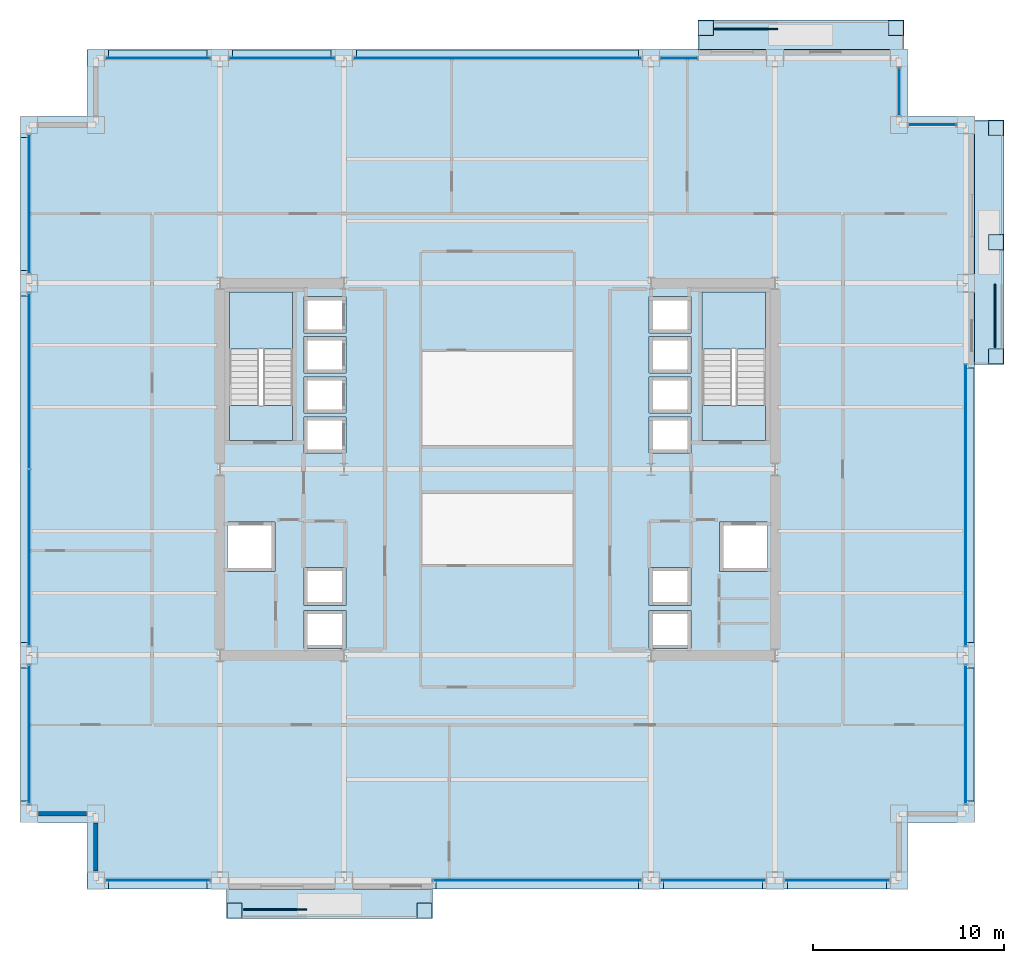
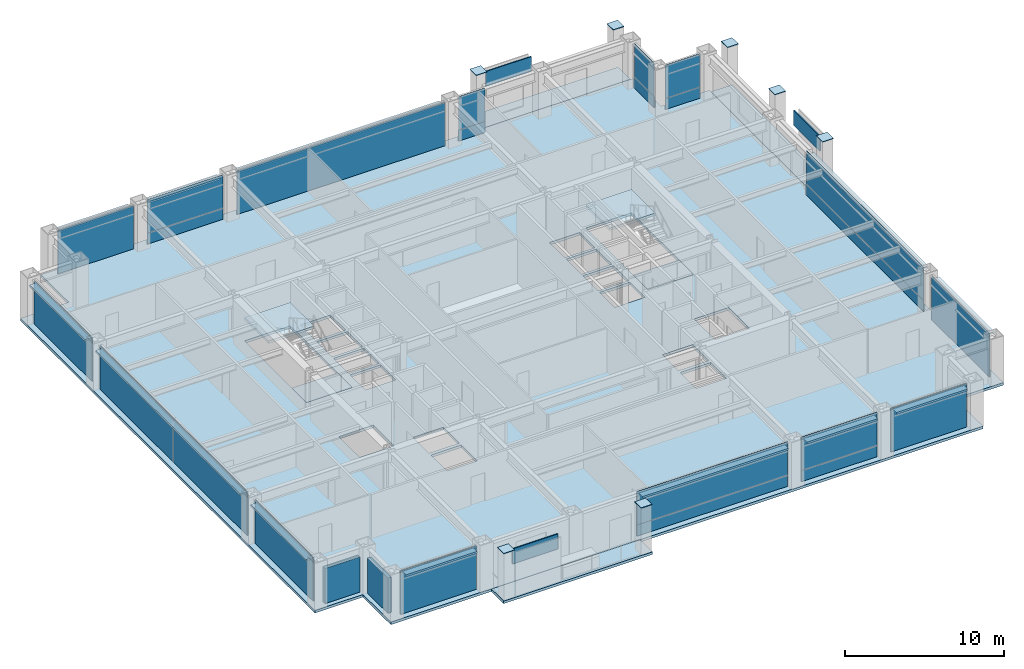
# One storey, part 24 of 31: 45 plates, 8 slabs, 2 walls, 17 elements without a shape of their own.
"""IFC4 building model written with IfcOpenShell, lengths in metres."""

from ifc_helpers import new_model, si_unit, direction, frame, frame_2d, origin, origin_2d, place, context, subcontext, project, spatial, polyline, rectangle, outline, extrude, material, layer, layer_set, type_object, element, aggregate, save


model = new_model("IFC4")

# Units and contexts
model_context = context("Model", 3, precision=1e-05, world=origin(), true_north=direction((0.0, 1.0)))
body_context = subcontext(model_context, "Body", "Model", "MODEL_VIEW")
ifc_project = project(units=[si_unit("LENGTHUNIT", "METRE"), si_unit("AREAUNIT", "SQUARE_METRE"), si_unit("VOLUMEUNIT", "CUBIC_METRE"), si_unit("PLANEANGLEUNIT", "RADIAN"), si_unit("MASSUNIT", "GRAM", prefix="KILO")], contexts=[model_context])

# Site, building, storey
site_placement = place(None, origin())
site = spatial("IfcSite", under=ifc_project, at=site_placement, CompositionType="ELEMENT")
building_placement = place(site_placement, origin())
building = spatial("IfcBuilding", under=site, at=building_placement, Name="Brelmoor Portico Tower", CompositionType="ELEMENT")
storey_placement = place(building_placement, frame((0.0, 0.0, 38.39990234375)))
storey = spatial("IfcBuildingStorey", under=building, at=storey_placement, Name="L09", CompositionType="ELEMENT", Elevation=38.39990234375)

# Plates
ifc_material_1 = material(Name="Steel Q355B", Category="steel")
ifc_layer_1 = layer(ifc_material_1, 0.044921875)
ifc_layer_set_1 = layer_set([ifc_layer_1], Name="Steel Q355B")
plate_type_1 = type_object("IfcPlateType", Name="PT-CAP-650", PredefinedType="SHEET", material=ifc_layer_set_1)
for number, where, z_axis, x_axis, name in (
    (1, (-13.780029296875, -23.1298828125, 3.60009765625), (0.0, 0.0, 1.0), (1.0, 0.0, 0.0), "L09 Proud Picture-Frame Pier PFJ-S1 Welded Head Cap Plate"),
    (2, (-3.820068359375, -23.1298828125, 3.60009765625), (0.0, 0.0, 1.0), (1.0, 0.0, 0.0), "L09 Proud Picture-Frame Pier PFJ-S2 Welded Head Cap Plate"),
    (3, (10.919921875, 23.1298828125, 3.60009765625), (0.0, 0.0, 1.0), (1.0, 0.0, 0.0), "L09 Proud Picture-Frame Pier PFJ-N1 Welded Head Cap Plate"),
    (4, (20.8798828125, 23.1298828125, 3.60009765625), (0.0, 0.0, 1.0), (1.0, 0.0, 0.0), "L09 Proud Picture-Frame Pier PFJ-N2 Welded Head Cap Plate"),
    (5, (26.1298828125, 5.919921875, 3.60009765625), (0.0, 0.0, 1.0), (0.0, 1.0, 0.0), "L09 Proud Picture-Frame Pier PFJ-E1 Welded Head Cap Plate"),
    (6, (26.1298828125, 17.8798828125, 3.60009765625), (0.0, 0.0, 1.0), (0.0, 1.0, 0.0), "L09 Proud Picture-Frame Pier PFJ-E2 Welded Head Cap Plate"),
    (7, (26.1298828125, 11.89990234375, 3.60009765625), (0.0, 0.0, 1.0), (0.0, 1.0, 0.0), "L09 Proud Picture-Frame Pier PFJ-E3 Welded Head Cap Plate"),
):
    element("IfcPlate", number, at=place(storey_placement, frame(where, z_axis=z_axis, x_axis=x_axis)), inside=storey, type_object=plate_type_1, Name=name, PredefinedType="SHEET", context=body_context, shape_type="SweptSolid", body=[
        extrude(rectangle(XDim=0.7900390625, YDim=0.7900390625, at=origin_2d()), origin(), (0.0, 0.0, 1.0), 0.0400390625),
    ])

# Curtain wall, plate
ifc_material_2 = material(Name="Anodised Aluminium Alloy 6063-T6", Category="aluminium")
ifc_layer_2 = layer(ifc_material_2, 0.179931640625)
ifc_layer_set_2 = layer_set([ifc_layer_2], Name="Anodised Aluminium Alloy 6063-T6")
curtain_wall_type_1 = type_object("IfcCurtainWallType", Name="CW-TOWER-Z1", PredefinedType="NOTDEFINED", material=ifc_layer_set_2)
curtain_wall_1_placement = place(storey_placement, origin())
curtain_wall_1 = element("IfcCurtainWall", 8, at=curtain_wall_1_placement, inside=storey, type_object=curtain_wall_type_1, Name="L09 Curtain Wall CW-L09-1R-1", PredefinedType="NOTDEFINED")
ifc_material_3 = material(Name="Double-Silver Low-E Insulated Glazing", Category="glass")
ifc_layer_3 = layer(ifc_material_3, 0.035888671875)
ifc_layer_set_3 = layer_set([ifc_layer_3], Name="Double-Silver Low-E Insulated Glazing")
plate_type_2 = type_object("IfcPlateType", Name="PT-CW-GLASS", PredefinedType="CURTAIN_PANEL", material=ifc_layer_set_3)
plate_1_placement = place(storey_placement, frame((2.08251953125, -21.550048828125, 0.85009765625), z_axis=(0.0, 0.0, 1.0), x_axis=(1.0, 0.0, 0.0)))
plate_1 = element("IfcPlate", 9, at=plate_1_placement, type_object=plate_type_2, Name="CW-L09-1R-1 Vision Glass Panel 00", PredefinedType="CURTAIN_PANEL", context=body_context, shape_type="SweptSolid", body=[
    extrude(rectangle(XDim=10.93505859375, YDim=0.035888671875, at=origin_2d()), origin(), (0.0, 0.0, 1.0), 2.550048828125),
])

curtain_wall_2_placement = place(storey_placement, origin())
curtain_wall_2 = element("IfcCurtainWall", 10, at=curtain_wall_2_placement, inside=storey, type_object=curtain_wall_type_1, Name="L09 Curtain Wall CW-L09-1R-2", PredefinedType="NOTDEFINED")
plate_2_placement = place(storey_placement, frame((11.300048828125, -21.550048828125, 0.85009765625), z_axis=(0.0, 0.0, 1.0), x_axis=(1.0, 0.0, 0.0)))
plate_2 = element("IfcPlate", 11, at=plate_2_placement, type_object=plate_type_2, Name="CW-L09-1R-2 Vision Glass Panel 00", PredefinedType="CURTAIN_PANEL", context=body_context, shape_type="SweptSolid", body=[
    extrude(rectangle(XDim=5.5, YDim=0.035888671875, at=origin_2d()), origin(), (0.0, 0.0, 1.0), 2.550048828125),
])

curtain_wall_3_placement = place(storey_placement, origin())
curtain_wall_3 = element("IfcCurtainWall", 12, at=curtain_wall_3_placement, inside=storey, type_object=curtain_wall_type_1, Name="L09 Curtain Wall CW-L09-2L-2", PredefinedType="NOTDEFINED")
plate_3_placement = place(storey_placement, frame((-11.300048828125, 21.550048828125, 0.85009765625), z_axis=(0.0, 0.0, 1.0), x_axis=(1.0, 0.0, 0.0)))
plate_3 = element("IfcPlate", 13, at=plate_3_placement, type_object=plate_type_2, Name="CW-L09-2L-2 Vision Glass Panel 00", PredefinedType="CURTAIN_PANEL", context=body_context, shape_type="SweptSolid", body=[
    extrude(rectangle(XDim=5.5, YDim=0.035888671875, at=origin_2d()), origin(), (0.0, 0.0, 1.0), 2.550048828125),
])

curtain_wall_4_placement = place(storey_placement, origin())
curtain_wall_4 = element("IfcCurtainWall", 14, at=curtain_wall_4_placement, inside=storey, type_object=curtain_wall_type_1, Name="L09 Curtain Wall CW-L09-2L-4", PredefinedType="NOTDEFINED")
plate_4_placement = place(storey_placement, frame((9.517578125, 21.550048828125, 0.85009765625), z_axis=(0.0, 0.0, 1.0), x_axis=(1.0, 0.0, 0.0)))
plate_4 = element("IfcPlate", 15, at=plate_4_placement, type_object=plate_type_2, Name="CW-L09-2L-4 Vision Glass Panel 00", PredefinedType="CURTAIN_PANEL", context=body_context, shape_type="SweptSolid", body=[
    extrude(rectangle(XDim=1.93505859375, YDim=0.035888671875, at=origin_2d()), origin(), (0.0, 0.0, 1.0), 2.550048828125),
])

curtain_wall_5_placement = place(storey_placement, origin())
curtain_wall_5 = element("IfcCurtainWall", 16, at=curtain_wall_5_placement, inside=storey, type_object=curtain_wall_type_1, Name="L09 Curtain Wall CW-L09-4L-2", PredefinedType="NOTDEFINED")
plate_5_placement = place(storey_placement, frame((24.550048828125, -1.882568359375, 0.85009765625), z_axis=(0.0, 0.0, 1.0), x_axis=(0.0, 1.0, 0.0)))
plate_5 = element("IfcPlate", 17, at=plate_5_placement, type_object=plate_type_2, Name="CW-L09-4L-2 Vision Glass Panel 00", PredefinedType="CURTAIN_PANEL", context=body_context, shape_type="SweptSolid", body=[
    extrude(rectangle(XDim=14.735107421875, YDim=0.035888671875, at=origin_2d()), origin(), (0.0, 0.0, 1.0), 2.550048828125),
])

ifc_layer_4 = layer(ifc_material_2, 0.179931640625)
ifc_layer_set_4 = layer_set([ifc_layer_4], Name="Anodised Aluminium Alloy 6063-T6")
curtain_wall_type_2 = type_object("IfcCurtainWallType", Name="CW-NOTCH-CHAMFER", PredefinedType="NOTDEFINED", material=ifc_layer_set_4)
curtain_wall_6_placement = place(storey_placement, origin())
curtain_wall_6 = element("IfcCurtainWall", 18, at=curtain_wall_6_placement, inside=storey, type_object=curtain_wall_type_2, Name="L09 Curtain Wall CWN-L09-NEH", PredefinedType="NOTDEFINED")
plate_6_placement = place(storey_placement, frame((22.800048828125, 18.050048828125, 0.85009765625), z_axis=(0.0, 0.0, 1.0), x_axis=(1.0, 0.0, 0.0)))
plate_6 = element("IfcPlate", 19, at=plate_6_placement, type_object=plate_type_2, Name="CWN-L09-NEH Vision Glass Panel 00", PredefinedType="CURTAIN_PANEL", context=body_context, shape_type="SweptSolid", body=[
    extrude(rectangle(XDim=2.5, YDim=0.035888671875, at=origin_2d()), origin(), (0.0, 0.0, 1.0), 2.550048828125),
])

curtain_wall_7_placement = place(storey_placement, origin())
curtain_wall_7 = element("IfcCurtainWall", 20, at=curtain_wall_7_placement, inside=storey, type_object=curtain_wall_type_2, Name="L09 Curtain Wall CWN-L09-NEV", PredefinedType="NOTDEFINED")
plate_7_placement = place(storey_placement, frame((21.050048828125, 19.800048828125, 0.85009765625), z_axis=(0.0, 0.0, 1.0), x_axis=(0.0, 1.0, 0.0)))
plate_7 = element("IfcPlate", 21, at=plate_7_placement, type_object=plate_type_2, Name="CWN-L09-NEV Vision Glass Panel 00", PredefinedType="CURTAIN_PANEL", context=body_context, shape_type="SweptSolid", body=[
    extrude(rectangle(XDim=2.5, YDim=0.035888671875, at=origin_2d()), origin(), (0.0, 0.0, 1.0), 2.550048828125),
])

ifc_layer_5 = layer(ifc_material_2, 0.179931640625)
ifc_layer_set_5 = layer_set([ifc_layer_5], Name="Anodised Aluminium Alloy 6063-T6")
curtain_wall_type_3 = type_object("IfcCurtainWallType", Name="CW-TOWER-Z1-XB", PredefinedType="NOTDEFINED", material=ifc_layer_set_5)
curtain_wall_8_placement = place(storey_placement, origin())
curtain_wall_8 = element("IfcCurtainWall", 22, at=curtain_wall_8_placement, inside=storey, type_object=curtain_wall_type_3, Name="L09 Curtain Wall CW-L09-1L", PredefinedType="NOTDEFINED")
ifc_material_4 = material(Name="Pale Champagne Anodised Aluminium Panel", Category="aluminium")
ifc_layer_6 = layer(ifc_material_4, 0.050048828125)
ifc_layer_set_6 = layer_set([ifc_layer_6], Name="Pale Champagne Anodised Aluminium Panel")
plate_type_3 = type_object("IfcPlateType", Name="PT-CW-SPANDREL", PredefinedType="SHEET", material=ifc_layer_set_6)
plate_8_placement = place(storey_placement, frame((-17.800048828125, -21.550048828125, 0.0), z_axis=(0.0, 0.0, 1.0), x_axis=(1.0, 0.0, 0.0)))
plate_8 = element("IfcPlate", 23, at=plate_8_placement, type_object=plate_type_3, Name="CW-L09-1L Spandrel Panel 00", PredefinedType="SHEET", context=body_context, shape_type="SweptSolid", body=[
    extrude(rectangle(XDim=5.5, YDim=0.050048828125, at=origin_2d()), origin(), (0.0, 0.0, 1.0), 3.330078125),
])
aggregate(curtain_wall_8, [plate_8])

# Plate
plate_9_placement = place(storey_placement, frame((2.08251953125, -21.550048828125, 0.0), z_axis=(0.0, 0.0, 1.0), x_axis=(1.0, 0.0, 0.0)))
plate_9 = element("IfcPlate", 24, at=plate_9_placement, type_object=plate_type_3, Name="CW-L09-1R-1 Spandrel Panel 00", PredefinedType="SHEET", context=body_context, shape_type="SweptSolid", body=[
    extrude(rectangle(XDim=10.93505859375, YDim=0.050048828125, at=origin_2d()), origin(), (0.0, 0.0, 1.0), 0.85009765625),
])

aggregate(curtain_wall_1, [plate_9, plate_1])

plate_10_placement = place(storey_placement, frame((11.300048828125, -21.550048828125, 0.0), z_axis=(0.0, 0.0, 1.0), x_axis=(1.0, 0.0, 0.0)))
plate_10 = element("IfcPlate", 25, at=plate_10_placement, type_object=plate_type_3, Name="CW-L09-1R-2 Spandrel Panel 00", PredefinedType="SHEET", context=body_context, shape_type="SweptSolid", body=[
    extrude(rectangle(XDim=5.5, YDim=0.050048828125, at=origin_2d()), origin(), (0.0, 0.0, 1.0), 0.85009765625),
])

aggregate(curtain_wall_2, [plate_10, plate_2])

# Curtain wall, plate
curtain_wall_9_placement = place(storey_placement, origin())
curtain_wall_9 = element("IfcCurtainWall", 26, at=curtain_wall_9_placement, inside=storey, type_object=curtain_wall_type_3, Name="L09 Curtain Wall CW-L09-1R-3", PredefinedType="NOTDEFINED")
plate_11_placement = place(storey_placement, frame((17.800048828125, -21.550048828125, 0.0), z_axis=(0.0, 0.0, 1.0), x_axis=(1.0, 0.0, 0.0)))
plate_11 = element("IfcPlate", 27, at=plate_11_placement, type_object=plate_type_3, Name="CW-L09-1R-3 Spandrel Panel 00", PredefinedType="SHEET", context=body_context, shape_type="SweptSolid", body=[
    extrude(rectangle(XDim=5.5, YDim=0.050048828125, at=origin_2d()), origin(), (0.0, 0.0, 1.0), 3.330078125),
])
aggregate(curtain_wall_9, [plate_11])

curtain_wall_10_placement = place(storey_placement, origin())
curtain_wall_10 = element("IfcCurtainWall", 28, at=curtain_wall_10_placement, inside=storey, type_object=curtain_wall_type_3, Name="L09 Curtain Wall CW-L09-2L-1", PredefinedType="NOTDEFINED")
plate_12_placement = place(storey_placement, frame((-17.800048828125, 21.550048828125, 0.0), z_axis=(0.0, 0.0, 1.0), x_axis=(1.0, 0.0, 0.0)))
plate_12 = element("IfcPlate", 29, at=plate_12_placement, type_object=plate_type_3, Name="CW-L09-2L-1 Spandrel Panel 00", PredefinedType="SHEET", context=body_context, shape_type="SweptSolid", body=[
    extrude(rectangle(XDim=5.5, YDim=0.050048828125, at=origin_2d()), origin(), (0.0, 0.0, 1.0), 3.330078125),
])
aggregate(curtain_wall_10, [plate_12])

# Plate
plate_13_placement = place(storey_placement, frame((-11.300048828125, 21.550048828125, 0.0), z_axis=(0.0, 0.0, 1.0), x_axis=(1.0, 0.0, 0.0)))
plate_13 = element("IfcPlate", 30, at=plate_13_placement, type_object=plate_type_3, Name="CW-L09-2L-2 Spandrel Panel 00", PredefinedType="SHEET", context=body_context, shape_type="SweptSolid", body=[
    extrude(rectangle(XDim=5.5, YDim=0.050048828125, at=origin_2d()), origin(), (0.0, 0.0, 1.0), 0.85009765625),
])

aggregate(curtain_wall_3, [plate_13, plate_3])

# Curtain wall, plate
curtain_wall_11_placement = place(storey_placement, origin())
curtain_wall_11 = element("IfcCurtainWall", 31, at=curtain_wall_11_placement, inside=storey, type_object=curtain_wall_type_3, Name="L09 Curtain Wall CW-L09-2L-3", PredefinedType="NOTDEFINED")
plate_14_placement = place(storey_placement, frame((0.0, 21.550048828125, 0.0), z_axis=(0.0, 0.0, 1.0), x_axis=(1.0, 0.0, 0.0)))
plate_14 = element("IfcPlate", 32, at=plate_14_placement, type_object=plate_type_3, Name="CW-L09-2L-3 Spandrel Panel 00", PredefinedType="SHEET", context=body_context, shape_type="SweptSolid", body=[
    extrude(rectangle(XDim=15.10009765625, YDim=0.050048828125, at=origin_2d()), origin(), (0.0, 0.0, 1.0), 3.330078125),
])
aggregate(curtain_wall_11, [plate_14])

# Plate
plate_15_placement = place(storey_placement, frame((9.517578125, 21.550048828125, 0.0), z_axis=(0.0, 0.0, 1.0), x_axis=(1.0, 0.0, 0.0)))
plate_15 = element("IfcPlate", 33, at=plate_15_placement, type_object=plate_type_3, Name="CW-L09-2L-4 Spandrel Panel 00", PredefinedType="SHEET", context=body_context, shape_type="SweptSolid", body=[
    extrude(rectangle(XDim=1.93505859375, YDim=0.050048828125, at=origin_2d()), origin(), (0.0, 0.0, 1.0), 0.85009765625),
])

aggregate(curtain_wall_4, [plate_15, plate_4])

# Curtain wall, plate
curtain_wall_12_placement = place(storey_placement, origin())
curtain_wall_12 = element("IfcCurtainWall", 34, at=curtain_wall_12_placement, inside=storey, type_object=curtain_wall_type_3, Name="L09 Curtain Wall CW-L09-03-1", PredefinedType="NOTDEFINED")
plate_16_placement = place(storey_placement, frame((-24.550048828125, -13.89990234375, 0.0), z_axis=(0.0, 0.0, 1.0), x_axis=(0.0, 1.0, 0.0)))
plate_16 = element("IfcPlate", 35, at=plate_16_placement, type_object=plate_type_3, Name="CW-L09-03-1 Spandrel Panel 00", PredefinedType="SHEET", context=body_context, shape_type="SweptSolid", body=[
    extrude(rectangle(XDim=7.300048828125, YDim=0.050048828125, at=origin_2d()), origin(), (0.0, 0.0, 1.0), 3.330078125),
])
aggregate(curtain_wall_12, [plate_16])

# Curtain wall, plates
curtain_wall_13_placement = place(storey_placement, origin())
curtain_wall_13 = element("IfcCurtainWall", 36, at=curtain_wall_13_placement, inside=storey, type_object=curtain_wall_type_3, Name="L09 Curtain Wall CW-L09-03-2", PredefinedType="NOTDEFINED")
plate_17_placement = place(storey_placement, frame((-24.550048828125, -4.632568359375, 0.0), z_axis=(0.0, 0.0, 1.0), x_axis=(0.0, 1.0, 0.0)))
plate_17 = element("IfcPlate", 37, at=plate_17_placement, type_object=plate_type_3, Name="CW-L09-03-2 Spandrel Panel 00", PredefinedType="SHEET", context=body_context, shape_type="SweptSolid", body=[
    extrude(rectangle(XDim=9.235107421875, YDim=0.050048828125, at=origin_2d()), origin(), (0.0, 0.0, 1.0), 3.330078125),
])
plate_18_placement = place(storey_placement, frame((-24.550048828125, 4.632568359375, 0.0), z_axis=(0.0, 0.0, 1.0), x_axis=(0.0, 1.0, 0.0)))
plate_18 = element("IfcPlate", 38, at=plate_18_placement, type_object=plate_type_3, Name="CW-L09-03-2 Spandrel Panel 01", PredefinedType="SHEET", context=body_context, shape_type="SweptSolid", body=[
    extrude(rectangle(XDim=9.235107421875, YDim=0.050048828125, at=origin_2d()), origin(), (0.0, 0.0, 1.0), 3.330078125),
])
aggregate(curtain_wall_13, [plate_17, plate_18])

# Curtain wall, plate
curtain_wall_14_placement = place(storey_placement, origin())
curtain_wall_14 = element("IfcCurtainWall", 39, at=curtain_wall_14_placement, inside=storey, type_object=curtain_wall_type_3, Name="L09 Curtain Wall CW-L09-03-3", PredefinedType="NOTDEFINED")
plate_19_placement = place(storey_placement, frame((-24.550048828125, 13.89990234375, 0.0), z_axis=(0.0, 0.0, 1.0), x_axis=(0.0, 1.0, 0.0)))
plate_19 = element("IfcPlate", 40, at=plate_19_placement, type_object=plate_type_3, Name="CW-L09-03-3 Spandrel Panel 00", PredefinedType="SHEET", context=body_context, shape_type="SweptSolid", body=[
    extrude(rectangle(XDim=7.300048828125, YDim=0.050048828125, at=origin_2d()), origin(), (0.0, 0.0, 1.0), 3.330078125),
])
aggregate(curtain_wall_14, [plate_19])

curtain_wall_15_placement = place(storey_placement, origin())
curtain_wall_15 = element("IfcCurtainWall", 41, at=curtain_wall_15_placement, inside=storey, type_object=curtain_wall_type_3, Name="L09 Curtain Wall CW-L09-4L-1", PredefinedType="NOTDEFINED")
plate_20_placement = place(storey_placement, frame((24.550048828125, -13.89990234375, 0.0), z_axis=(0.0, 0.0, 1.0), x_axis=(0.0, 1.0, 0.0)))
plate_20 = element("IfcPlate", 42, at=plate_20_placement, type_object=plate_type_3, Name="CW-L09-4L-1 Spandrel Panel 00", PredefinedType="SHEET", context=body_context, shape_type="SweptSolid", body=[
    extrude(rectangle(XDim=7.300048828125, YDim=0.050048828125, at=origin_2d()), origin(), (0.0, 0.0, 1.0), 3.330078125),
])
aggregate(curtain_wall_15, [plate_20])

# Plate
plate_21_placement = place(storey_placement, frame((24.550048828125, -1.882568359375, 0.0), z_axis=(0.0, 0.0, 1.0), x_axis=(0.0, 1.0, 0.0)))
plate_21 = element("IfcPlate", 43, at=plate_21_placement, type_object=plate_type_3, Name="CW-L09-4L-2 Spandrel Panel 00", PredefinedType="SHEET", context=body_context, shape_type="SweptSolid", body=[
    extrude(rectangle(XDim=14.735107421875, YDim=0.050048828125, at=origin_2d()), origin(), (0.0, 0.0, 1.0), 0.85009765625),
])

aggregate(curtain_wall_5, [plate_21, plate_5])

plate_22_placement = place(storey_placement, frame((22.800048828125, 18.050048828125, 0.0), z_axis=(0.0, 0.0, 1.0), x_axis=(1.0, 0.0, 0.0)))
plate_22 = element("IfcPlate", 44, at=plate_22_placement, type_object=plate_type_3, Name="CWN-L09-NEH Spandrel Panel 00", PredefinedType="SHEET", context=body_context, shape_type="SweptSolid", body=[
    extrude(rectangle(XDim=2.5, YDim=0.050048828125, at=origin_2d()), origin(), (0.0, 0.0, 1.0), 0.85009765625),
])

aggregate(curtain_wall_6, [plate_22, plate_6])

plate_23_placement = place(storey_placement, frame((21.050048828125, 19.800048828125, 0.0), z_axis=(0.0, 0.0, 1.0), x_axis=(0.0, 1.0, 0.0)))
plate_23 = element("IfcPlate", 45, at=plate_23_placement, type_object=plate_type_3, Name="CWN-L09-NEV Spandrel Panel 00", PredefinedType="SHEET", context=body_context, shape_type="SweptSolid", body=[
    extrude(rectangle(XDim=2.5, YDim=0.050048828125, at=origin_2d()), origin(), (0.0, 0.0, 1.0), 0.85009765625),
])

aggregate(curtain_wall_7, [plate_23, plate_7])

# Plates
ifc_material_5 = material(Name="Powder-Coated Aluminium Shuttered Jalousie Louvre", Category="aluminium")
ifc_layer_7 = layer(ifc_material_5, 0.06005859375)
ifc_layer_set_7 = layer_set([ifc_layer_7], Name="Powder-Coated Aluminium Shuttered Jalousie Louvre")
plate_type_4 = type_object("IfcPlateType", Name="PT-JALOUSIE-SHUTTER", PredefinedType="SHEET", material=ifc_layer_set_7)
for number, where, z_axis, x_axis, name in (
    (46, (-11.64990234375, -23.080078125, 2.275146484375), (0.0, 0.0, 1.0), (1.0, 0.0, 0.0), "L09 Shuttered Veranda Screen S"),
    (47, (13.050048828125, 23.080078125, 2.275146484375), (0.0, 0.0, 1.0), (1.0, 0.0, 0.0), "L09 Shuttered Veranda Screen N"),
    (48, (26.080078125, 8.050048828125, 2.275146484375), (0.0, 0.0, 1.0), (0.0, 1.0, 0.0), "L09 Shuttered Veranda Screen E"),
):
    element("IfcPlate", number, at=place(storey_placement, frame(where, z_axis=z_axis, x_axis=x_axis)), inside=storey, type_object=plate_type_4, Name=name, PredefinedType="SHEET", context=body_context, shape_type="SweptSolid", body=[
        extrude(rectangle(XDim=3.300048828125, YDim=0.080078125, at=origin_2d()), origin(), (0.0, 0.0, 1.0), 1.14990234375),
    ])
ifc_material_6 = material(Name="Pale Champagne Perforated Aluminium Solar Screen", Category="aluminium")
ifc_layer_8 = layer(ifc_material_6, 0.054931640625)
ifc_layer_set_8 = layer_set([ifc_layer_8], Name="Pale Champagne Perforated Aluminium Solar Screen")
plate_type_5 = type_object("IfcPlateType", Name="PT-SOLAR-LOUVRE", PredefinedType="SHEET", material=ifc_layer_set_8)
plate_24_placement = place(storey_placement, frame((-17.800048828125, -21.760009765625, 3.09033203125), z_axis=(0.0, 0.0, 1.0), x_axis=(1.0, 0.0, 0.0)))
element("IfcPlate", 49, at=plate_24_placement, inside=storey, type_object=plate_type_5, Name="CW-L09-1L Caribbean Brise-Soleil Solar Screen", PredefinedType="SHEET", context=body_context, shape_type="SweptSolid", body=[
    extrude(rectangle(XDim=5.169921875, YDim=0.4599609375, at=origin_2d()), origin(), (0.0, 0.0, 1.0), 0.139892578125),
])
plate_25_placement = place(storey_placement, frame((2.08251953125, -21.760009765625, 3.09033203125), z_axis=(0.0, 0.0, 1.0), x_axis=(1.0, 0.0, 0.0)))
element("IfcPlate", 50, at=plate_25_placement, inside=storey, type_object=plate_type_5, Name="CW-L09-1R-1 Caribbean Brise-Soleil Solar Screen", PredefinedType="SHEET", context=body_context, shape_type="SweptSolid", body=[
    extrude(rectangle(XDim=10.60498046875, YDim=0.4599609375, at=origin_2d()), origin(), (0.0, 0.0, 1.0), 0.139892578125),
])
for number, where, z_axis, x_axis, name in (
    (51, (11.300048828125, -21.760009765625, 3.09033203125), (0.0, 0.0, 1.0), (1.0, 0.0, 0.0), "CW-L09-1R-2 Caribbean Brise-Soleil Solar Screen"),
    (52, (17.800048828125, -21.760009765625, 3.09033203125), (0.0, 0.0, 1.0), (1.0, 0.0, 0.0), "CW-L09-1R-3 Caribbean Brise-Soleil Solar Screen"),
    (53, (-17.800048828125, 21.760009765625, 3.09033203125), (0.0, 0.0, 1.0), (1.0, 0.0, 0.0), "CW-L09-2L-1 Caribbean Brise-Soleil Solar Screen"),
    (54, (-11.300048828125, 21.760009765625, 3.09033203125), (0.0, 0.0, 1.0), (1.0, 0.0, 0.0), "CW-L09-2L-2 Caribbean Brise-Soleil Solar Screen"),
):
    element("IfcPlate", number, at=place(storey_placement, frame(where, z_axis=z_axis, x_axis=x_axis)), inside=storey, type_object=plate_type_5, Name=name, PredefinedType="SHEET", context=body_context, shape_type="SweptSolid", body=[
        extrude(rectangle(XDim=5.169921875, YDim=0.4599609375, at=origin_2d()), origin(), (0.0, 0.0, 1.0), 0.139892578125),
    ])
plate_26_placement = place(storey_placement, frame((0.0, 21.760009765625, 3.09033203125), z_axis=(0.0, 0.0, 1.0), x_axis=(1.0, 0.0, 0.0)))
element("IfcPlate", 55, at=plate_26_placement, inside=storey, type_object=plate_type_5, Name="CW-L09-2L-3 Caribbean Brise-Soleil Solar Screen", PredefinedType="SHEET", context=body_context, shape_type="SweptSolid", body=[
    extrude(rectangle(XDim=14.77001953125, YDim=0.4599609375, at=origin_2d()), origin(), (0.0, 0.0, 1.0), 0.139892578125),
])
plate_27_placement = place(storey_placement, frame((-24.760009765625, -13.89990234375, 3.09033203125), z_axis=(0.0, 0.0, 1.0), x_axis=(0.0, 1.0, 0.0)))
element("IfcPlate", 56, at=plate_27_placement, inside=storey, type_object=plate_type_5, Name="CW-L09-03-1 Caribbean Brise-Soleil Solar Screen", PredefinedType="SHEET", context=body_context, shape_type="SweptSolid", body=[
    extrude(rectangle(XDim=6.969970703125, YDim=0.4599609375, at=origin_2d()), origin(), (0.0, 0.0, 1.0), 0.139892578125),
])
plate_28_placement = place(storey_placement, frame((-24.760009765625, 0.0, 3.09033203125), z_axis=(0.0, 0.0, 1.0), x_axis=(0.0, 1.0, 0.0)))
element("IfcPlate", 57, at=plate_28_placement, inside=storey, type_object=plate_type_5, Name="CW-L09-03-2 Caribbean Brise-Soleil Solar Screen", PredefinedType="SHEET", context=body_context, shape_type="SweptSolid", body=[
    extrude(rectangle(XDim=18.169921875, YDim=0.4599609375, at=origin_2d()), origin(), (0.0, 0.0, 1.0), 0.139892578125),
])
for number, where, z_axis, x_axis, name in (
    (58, (-24.760009765625, 13.89990234375, 3.09033203125), (0.0, 0.0, 1.0), (0.0, 1.0, 0.0), "CW-L09-03-3 Caribbean Brise-Soleil Solar Screen"),
    (59, (24.760009765625, -13.89990234375, 3.09033203125), (0.0, 0.0, 1.0), (0.0, 1.0, 0.0), "CW-L09-4L-1 Caribbean Brise-Soleil Solar Screen"),
):
    element("IfcPlate", number, at=place(storey_placement, frame(where, z_axis=z_axis, x_axis=x_axis)), inside=storey, type_object=plate_type_5, Name=name, PredefinedType="SHEET", context=body_context, shape_type="SweptSolid", body=[
        extrude(rectangle(XDim=6.969970703125, YDim=0.4599609375, at=origin_2d()), origin(), (0.0, 0.0, 1.0), 0.139892578125),
    ])
plate_29_placement = place(storey_placement, frame((24.760009765625, -1.882568359375, 3.09033203125), z_axis=(0.0, 0.0, 1.0), x_axis=(0.0, 1.0, 0.0)))
element("IfcPlate", 60, at=plate_29_placement, inside=storey, type_object=plate_type_5, Name="CW-L09-4L-2 Caribbean Brise-Soleil Solar Screen", PredefinedType="SHEET", context=body_context, shape_type="SweptSolid", body=[
    extrude(rectangle(XDim=14.405029296875, YDim=0.4599609375, at=origin_2d()), origin(), (0.0, 0.0, 1.0), 0.139892578125),
])

# Slabs
ifc_material_7 = material(Name="Concrete C40", Category="concrete")
ifc_layer_9 = layer(ifc_material_7, 0.199951171875)
ifc_layer_set_9 = layer_set([ifc_layer_9], Name="Concrete C40")
slab_type_1 = type_object("IfcSlabType", Name="SL-BALCONY-200", PredefinedType="FLOOR", material=ifc_layer_set_9)
slab_1_placement = place(storey_placement, frame((0.0, 0.0, -0.199951171875)))
element("IfcSlab", 61, at=slab_1_placement, inside=storey, type_object=slab_type_1, Name="L09 Loggia Tree Balcony Slab S", PredefinedType="FLOOR", context=body_context, shape_type="SweptSolid", body=[
    extrude(outline(polyline([(-14.199951171875, -23.550048828125), (-3.39990234375, -23.550048828125), (-3.39990234375, -22.0), (-14.199951171875, -22.0), (-14.199951171875, -23.550048828125)])), origin(), (0.0, 0.0, 1.0), 0.199951171875),
])
slab_2_placement = place(storey_placement, frame((0.0, 0.0, -0.199951171875)))
element("IfcSlab", 62, at=slab_2_placement, inside=storey, type_object=slab_type_1, Name="L09 Loggia Tree Balcony Slab N", PredefinedType="FLOOR", context=body_context, shape_type="SweptSolid", body=[
    extrude(outline(polyline([(10.5, 22.0), (21.300048828125, 22.0), (21.300048828125, 23.550048828125), (10.5, 23.550048828125), (10.5, 22.0)])), origin(), (0.0, 0.0, 1.0), 0.199951171875),
])
slab_3_placement = place(storey_placement, frame((0.0, 0.0, -0.199951171875)))
element("IfcSlab", 63, at=slab_3_placement, inside=storey, type_object=slab_type_1, Name="L09 Loggia Tree Balcony Slab E", PredefinedType="FLOOR", context=body_context, shape_type="SweptSolid", body=[
    extrude(outline(polyline([(25.0, 5.5), (26.550048828125, 5.5), (26.550048828125, 18.300048828125), (25.0, 18.300048828125), (25.0, 5.5)])), origin(), (0.0, 0.0, 1.0), 0.199951171875),
])
ifc_layer_10 = layer(ifc_material_7, 0.199951171875)
ifc_layer_set_10 = layer_set([ifc_layer_10], Name="Concrete C40")
slab_type_2 = type_object("IfcSlabType", Name="SL-FLOOR-200", PredefinedType="FLOOR", material=ifc_layer_set_10)
slab_4_placement = place(storey_placement, frame((0.0, 0.0, -0.199951171875)))
element("IfcSlab", 64, at=slab_4_placement, inside=storey, type_object=slab_type_2, Name="L09 Main Structural Floor Slab", PredefinedType="FLOOR", context=body_context, shape_type="SweptSolid", body=[
    extrude(outline(polyline([(-21.5, -22.0), (21.5, -22.0), (21.5, -18.5), (25.0, -18.5), (25.0, 18.5), (21.5, 18.5), (21.5, 22.0), (-21.5, 22.0), (-21.5, 18.5), (-25.0, 18.5), (-25.0, -18.5), (-21.5, -18.5), (-21.5, -22.0)]), holes=[polyline([(-10.72998046875, 1.5), (-10.72998046875, 9.300048828125), (-14.050048828125, 9.300048828125), (-14.050048828125, 1.5), (-10.72998046875, 1.5)]), polyline([(14.050048828125, 1.5), (14.050048828125, 9.300048828125), (10.72998046875, 9.300048828125), (10.72998046875, 1.5), (14.050048828125, 1.5)]), polyline([(-10.14990234375, 0.85009765625), (-7.949951171875, 0.85009765625), (-7.949951171875, 2.75), (-10.14990234375, 2.75), (-10.14990234375, 0.85009765625)]), polyline([(-10.14990234375, 2.949951171875), (-7.949951171875, 2.949951171875), (-7.949951171875, 4.85009765625), (-10.14990234375, 4.85009765625), (-10.14990234375, 2.949951171875)]), polyline([(-10.14990234375, 5.050048828125), (-7.949951171875, 5.050048828125), (-7.949951171875, 6.949951171875), (-10.14990234375, 6.949951171875), (-10.14990234375, 5.050048828125)]), polyline([(-10.14990234375, 7.14990234375), (-7.949951171875, 7.14990234375), (-7.949951171875, 9.050048828125), (-10.14990234375, 9.050048828125), (-10.14990234375, 7.14990234375)]), polyline([(7.949951171875, 0.85009765625), (10.14990234375, 0.85009765625), (10.14990234375, 2.75), (7.949951171875, 2.75), (7.949951171875, 0.85009765625)]), polyline([(7.949951171875, 2.949951171875), (10.14990234375, 2.949951171875), (10.14990234375, 4.85009765625), (7.949951171875, 4.85009765625), (7.949951171875, 2.949951171875)]), polyline([(7.949951171875, 5.050048828125), (10.14990234375, 5.050048828125), (10.14990234375, 6.949951171875), (7.949951171875, 6.949951171875), (7.949951171875, 5.050048828125)]), polyline([(7.949951171875, 7.14990234375), (10.14990234375, 7.14990234375), (10.14990234375, 9.050048828125), (7.949951171875, 9.050048828125), (7.949951171875, 7.14990234375)]), polyline([(-10.14990234375, -9.39990234375), (-7.949951171875, -9.39990234375), (-7.949951171875, -7.39990234375), (-10.14990234375, -7.39990234375), (-10.14990234375, -9.39990234375)]), polyline([(-10.14990234375, -7.14990234375), (-7.949951171875, -7.14990234375), (-7.949951171875, -5.14990234375), (-10.14990234375, -5.14990234375), (-10.14990234375, -7.14990234375)]), polyline([(7.949951171875, -9.39990234375), (10.14990234375, -9.39990234375), (10.14990234375, -7.39990234375), (7.949951171875, -7.39990234375), (7.949951171875, -9.39990234375)]), polyline([(7.949951171875, -7.14990234375), (10.14990234375, -7.14990234375), (10.14990234375, -5.14990234375), (7.949951171875, -5.14990234375), (7.949951171875, -7.14990234375)]), polyline([(-14.14990234375, -5.35009765625), (-11.64990234375, -5.35009765625), (-11.64990234375, -2.75), (-14.14990234375, -2.75), (-14.14990234375, -5.35009765625)]), polyline([(11.64990234375, -5.35009765625), (14.14990234375, -5.35009765625), (14.14990234375, -2.75), (11.64990234375, -2.75), (11.64990234375, -5.35009765625)])]), origin(), (0.0, 0.0, 1.0), 0.199951171875),
])

# Stair, slab
stair_type_1 = type_object("IfcStairType", Name="ST-CORE-W", PredefinedType="HALF_TURN_STAIR", material=ifc_material_7)
stair_1_placement = place(storey_placement, origin())
stair_1 = element("IfcStair", 65, at=stair_1_placement, inside=storey, type_object=stair_type_1, Name="L09 Protected Core Exit Stair ST-W", PredefinedType="HALF_TURN_STAIR")
ifc_layer_11 = layer(ifc_material_7, 0.179931640625)
ifc_layer_set_11 = layer_set([ifc_layer_11], Name="Concrete C40")
slab_type_3 = type_object("IfcSlabType", Name="SL-LANDING-180", PredefinedType="LANDING", material=ifc_layer_set_11)
slab_5_placement = place(storey_placement, frame((0.0, 0.0, 1.60009765625)))
slab_5 = element("IfcSlab", 66, at=slab_5_placement, type_object=slab_type_3, Name="ST-W landing 1", PredefinedType="LANDING", context=body_context, shape_type="SweptSolid", body=[
    extrude(outline(polyline([(-10.72998046875, 6.300048828125), (-10.72998046875, 9.300048828125), (-14.050048828125, 9.300048828125), (-14.050048828125, 6.300048828125), (-10.72998046875, 6.300048828125)])), origin(), (0.0, 0.0, 1.0), 0.199951171875),
])
aggregate(stair_1, [slab_5])

stair_type_2 = type_object("IfcStairType", Name="ST-CORE-E", PredefinedType="HALF_TURN_STAIR", material=ifc_material_7)
stair_2_placement = place(storey_placement, origin())
stair_2 = element("IfcStair", 67, at=stair_2_placement, inside=storey, type_object=stair_type_2, Name="L09 Protected Core Exit Stair ST-E", PredefinedType="HALF_TURN_STAIR")
slab_6_placement = place(storey_placement, frame((0.0, 0.0, 1.60009765625)))
slab_6 = element("IfcSlab", 68, at=slab_6_placement, type_object=slab_type_3, Name="ST-E landing 1", PredefinedType="LANDING", context=body_context, shape_type="SweptSolid", body=[
    extrude(outline(polyline([(14.050048828125, 6.300048828125), (14.050048828125, 9.300048828125), (10.72998046875, 9.300048828125), (10.72998046875, 6.300048828125), (14.050048828125, 6.300048828125)])), origin(), (0.0, 0.0, 1.0), 0.199951171875),
])
aggregate(stair_2, [slab_6])

# Slabs
ifc_layer_12 = layer(ifc_material_7, 0.199951171875)
ifc_layer_set_12 = layer_set([ifc_layer_12], Name="Concrete C40")
slab_type_4 = type_object("IfcSlabType", Name="SL-STAIR-FL200", PredefinedType="LANDING", material=ifc_layer_set_12)
slab_7_placement = place(storey_placement, frame((0.0, 0.0, -0.199951171875)))
element("IfcSlab", 69, at=slab_7_placement, inside=storey, type_object=slab_type_4, Name="L09 ST-W Structural Floor Landing Slab", PredefinedType="LANDING", context=body_context, shape_type="SweptSolid", body=[
    extrude(outline(polyline([(-10.72998046875, 1.5), (-10.72998046875, 3.35009765625), (-14.050048828125, 3.35009765625), (-14.050048828125, 1.5), (-10.72998046875, 1.5)])), origin(), (0.0, 0.0, 1.0), 0.199951171875),
])
slab_8_placement = place(storey_placement, frame((0.0, 0.0, -0.199951171875)))
element("IfcSlab", 70, at=slab_8_placement, inside=storey, type_object=slab_type_4, Name="L09 ST-E Structural Floor Landing Slab", PredefinedType="LANDING", context=body_context, shape_type="SweptSolid", body=[
    extrude(outline(polyline([(14.050048828125, 1.5), (14.050048828125, 3.35009765625), (10.72998046875, 3.35009765625), (10.72998046875, 1.5), (14.050048828125, 1.5)])), origin(), (0.0, 0.0, 1.0), 0.199951171875),
])

# Walls
ifc_material_8 = material(Name="Precast Concrete C40 Insulated Facade Wall", Category="concrete")
ifc_layer_13 = layer(ifc_material_8, 0.25)
ifc_layer_set_13 = layer_set([ifc_layer_13], Name="Precast Concrete C40 Insulated Facade Wall")
wall_type = type_object("IfcWallType", Name="WL-EXT-250", PredefinedType="STANDARD", material=ifc_layer_set_13)
for number, where, z_axis, x_axis, name in (
    (71, (-24.06494140625, -18.050048828125, 0.0), (0.0, 0.0, 1.0), (1.0, 0.0, 0.0), "L09 Corner Notch Facade Wall NSWH1"),
    (72, (-21.050048828125, -21.06494140625, 0.0), (0.0, 0.0, 1.0), (0.0, 1.0, 0.0), "L09 Corner Notch Facade Wall NSWV1"),
):
    element("IfcWall", number, at=place(storey_placement, frame(where, z_axis=z_axis, x_axis=x_axis)), inside=storey, type_object=wall_type, Name=name, PredefinedType="STANDARD", context=body_context, shape_type="SweptSolid", body=[
        extrude(rectangle(XDim=2.530029296875, YDim=0.25, at=frame_2d((1.26513671875, 0.0))), origin(), (0.0, 0.0, 1.0), 2.7001953125),
    ])

save(model, "model.ifc")
